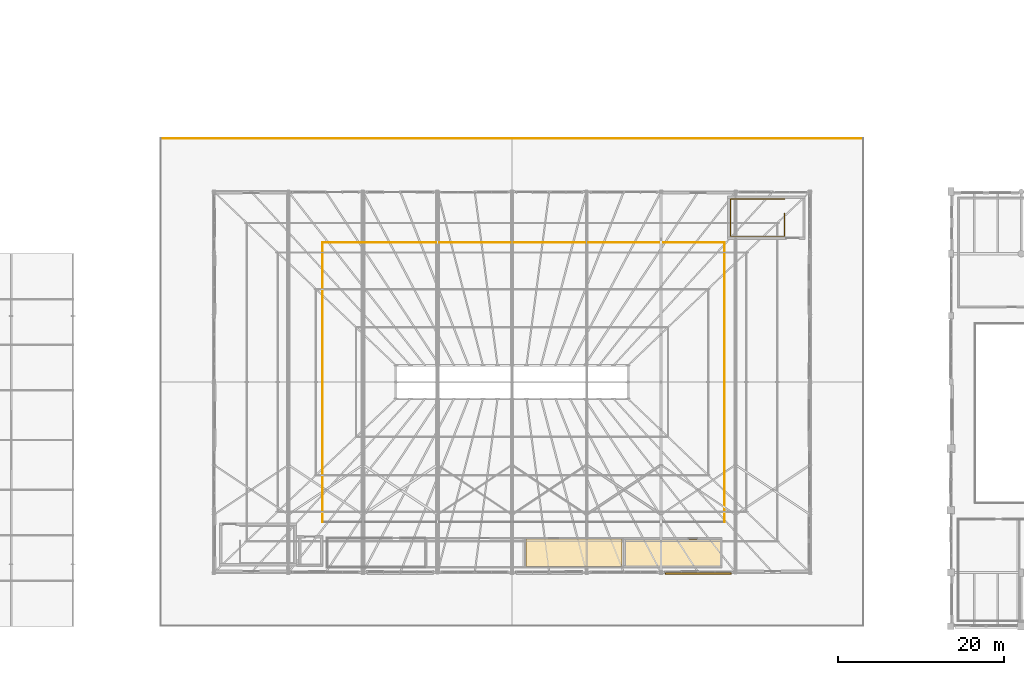
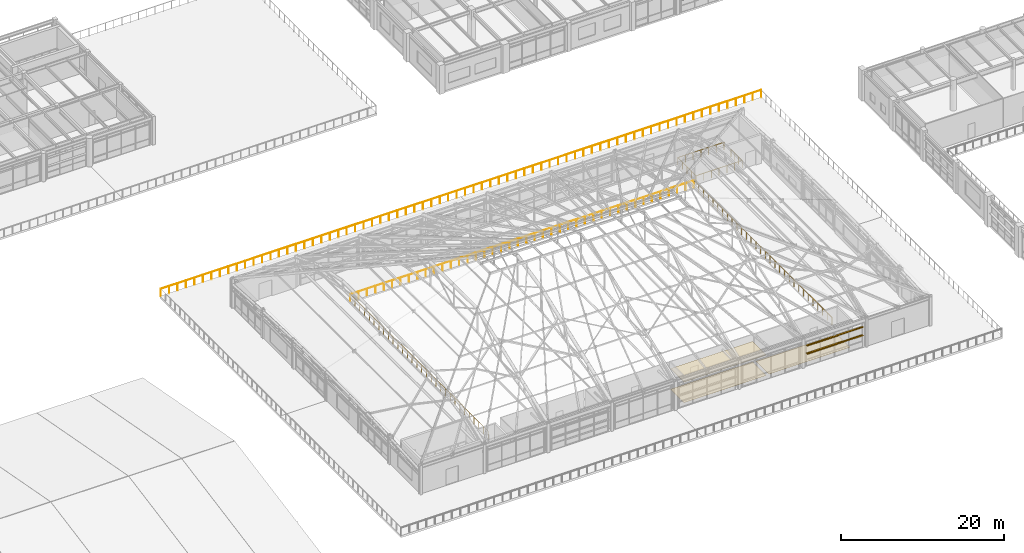
# One storey, part 164 of 168: 5 railings, 3 coverings, 2 shading devices.
"""IFC4 building model written with IfcOpenShell, lengths in metres."""

from ifc_helpers import new_model, si_unit, direction, frame, origin, origin_2d, place, context, subcontext, project, spatial, polyline, rectangle, circle, outline, extrude, material, layer, layer_set, type_object, element, save


model = new_model("IFC4")

# Units and contexts
model_context = context("Model", 3, precision=1e-05, world=origin(), true_north=direction((0.0, 1.0)))
body_context = subcontext(model_context, "Body", "Model", "MODEL_VIEW")
ifc_project = project(units=[si_unit("LENGTHUNIT", "METRE"), si_unit("AREAUNIT", "SQUARE_METRE"), si_unit("VOLUMEUNIT", "CUBIC_METRE"), si_unit("PLANEANGLEUNIT", "RADIAN"), si_unit("MASSUNIT", "GRAM", prefix="KILO"), si_unit("THERMODYNAMICTEMPERATUREUNIT", "KELVIN"), si_unit("POWERUNIT", "WATT")], contexts=[model_context])

# Site, building, storey
site_placement = place(None, origin())
site = spatial("IfcSite", under=ifc_project, at=site_placement, CompositionType="ELEMENT")
building_placement = place(site_placement, origin())
building = spatial("IfcBuilding", under=site, at=building_placement, Name="Tepalcoro Natatorium and Aquatics Centre", CompositionType="ELEMENT")
storey_placement = place(building_placement, frame((0.0, 0.0, 10.199951171875)))
storey = spatial("IfcBuildingStorey", under=building, at=storey_placement, Name="L02", CompositionType="ELEMENT", Elevation=10.199951171875)

# Railings
ifc_material_1 = material(Name="Bronze-Anodised Extruded Aluminium Alloy EN AW-6063 T6", Category="aluminium")
railing_type_1 = type_object("IfcRailingType", Name="BL_BRONZE_1100", PredefinedType="BALUSTRADE", material=ifc_material_1)
railing_1_placement = place(storey_placement, frame((114.679931640625, 19.1201171875, 0.0)))
element("IfcRailing", 1, at=railing_1_placement, inside=storey, type_object=railing_type_1, Name="V1 L02 Broadcast Catwalk Overlook Balustrade (E)", PredefinedType="BALUSTRADE", context=body_context, shape_type="SweptSolid", body=[
    extrude(circle(Radius=0.02392578125, at=origin_2d()), frame((0.0, 0.0, 1.076171875), z_axis=(0.0, 1.0, 0.0), x_axis=(-1.0, 0.0, 0.0)), (0.0, 0.0, 1.0), 33.759765625),
    extrude(circle(Radius=0.02099609375, at=origin_2d()), origin(), (0.0, 0.0, 1.0), 1.052001953125),
    extrude(circle(Radius=0.02099609375, at=origin_2d()), frame((0.0, 1.1640625, 0.0)), (0.0, 0.0, 1.0), 1.052001953125),
    extrude(circle(Radius=0.02099609375, at=origin_2d()), frame((0.0, 2.328369140625, 0.0)), (0.0, 0.0, 1.0), 1.052001953125),
    extrude(circle(Radius=0.02099609375, at=origin_2d()), frame((0.0, 3.492431640625, 0.0)), (0.0, 0.0, 1.0), 1.052001953125),
    extrude(circle(Radius=0.02099609375, at=origin_2d()), frame((0.0, 4.656494140625, 0.0)), (0.0, 0.0, 1.0), 1.052001953125),
    extrude(circle(Radius=0.02099609375, at=origin_2d()), frame((0.0, 5.820556640625, 0.0)), (0.0, 0.0, 1.0), 1.052001953125),
    extrude(circle(Radius=0.02099609375, at=origin_2d()), frame((0.0, 6.98486328125, 0.0)), (0.0, 0.0, 1.0), 1.052001953125),
    extrude(circle(Radius=0.02099609375, at=origin_2d()), frame((0.0, 8.14892578125, 0.0)), (0.0, 0.0, 1.0), 1.052001953125),
    extrude(circle(Radius=0.02099609375, at=origin_2d()), frame((0.0, 9.31298828125, 0.0)), (0.0, 0.0, 1.0), 1.052001953125),
    extrude(circle(Radius=0.02099609375, at=origin_2d()), frame((0.0, 10.47705078125, 0.0)), (0.0, 0.0, 1.0), 1.052001953125),
    extrude(circle(Radius=0.02099609375, at=origin_2d()), frame((0.0, 11.641357421875, 0.0)), (0.0, 0.0, 1.0), 1.052001953125),
    extrude(circle(Radius=0.02099609375, at=origin_2d()), frame((0.0, 12.805419921875, 0.0)), (0.0, 0.0, 1.0), 1.052001953125),
    extrude(circle(Radius=0.02099609375, at=origin_2d()), frame((0.0, 13.969482421875, 0.0)), (0.0, 0.0, 1.0), 1.052001953125),
    extrude(circle(Radius=0.02099609375, at=origin_2d()), frame((0.0, 15.1337890625, 0.0)), (0.0, 0.0, 1.0), 1.052001953125),
    extrude(circle(Radius=0.02099609375, at=origin_2d()), frame((0.0, 16.2978515625, 0.0)), (0.0, 0.0, 1.0), 1.052001953125),
    extrude(circle(Radius=0.02099609375, at=origin_2d()), frame((0.0, 17.4619140625, 0.0)), (0.0, 0.0, 1.0), 1.052001953125),
    extrude(circle(Radius=0.02099609375, at=origin_2d()), frame((0.0, 18.6259765625, 0.0)), (0.0, 0.0, 1.0), 1.052001953125),
    extrude(circle(Radius=0.02099609375, at=origin_2d()), frame((0.0, 19.790283203125, 0.0)), (0.0, 0.0, 1.0), 1.052001953125),
    extrude(circle(Radius=0.02099609375, at=origin_2d()), frame((0.0, 20.954345703125, 0.0)), (0.0, 0.0, 1.0), 1.052001953125),
    extrude(circle(Radius=0.02099609375, at=origin_2d()), frame((0.0, 22.118408203125, 0.0)), (0.0, 0.0, 1.0), 1.052001953125),
    extrude(circle(Radius=0.02099609375, at=origin_2d()), frame((0.0, 23.28271484375, 0.0)), (0.0, 0.0, 1.0), 1.052001953125),
    extrude(circle(Radius=0.02099609375, at=origin_2d()), frame((0.0, 24.44677734375, 0.0)), (0.0, 0.0, 1.0), 1.052001953125),
    extrude(circle(Radius=0.02099609375, at=origin_2d()), frame((0.0, 25.61083984375, 0.0)), (0.0, 0.0, 1.0), 1.052001953125),
    extrude(circle(Radius=0.02099609375, at=origin_2d()), frame((0.0, 26.77490234375, 0.0)), (0.0, 0.0, 1.0), 1.052001953125),
    extrude(circle(Radius=0.02099609375, at=origin_2d()), frame((0.0, 27.939208984375, 0.0)), (0.0, 0.0, 1.0), 1.052001953125),
    extrude(circle(Radius=0.02099609375, at=origin_2d()), frame((0.0, 29.103271484375, 0.0)), (0.0, 0.0, 1.0), 1.052001953125),
    extrude(circle(Radius=0.02099609375, at=origin_2d()), frame((0.0, 30.267333984375, 0.0)), (0.0, 0.0, 1.0), 1.052001953125),
    extrude(circle(Radius=0.02099609375, at=origin_2d()), frame((0.0, 31.431396484375, 0.0)), (0.0, 0.0, 1.0), 1.052001953125),
    extrude(circle(Radius=0.02099609375, at=origin_2d()), frame((0.0, 32.595703125, 0.0)), (0.0, 0.0, 1.0), 1.052001953125),
    extrude(circle(Radius=0.02099609375, at=origin_2d()), frame((0.0, 33.759765625, 0.0)), (0.0, 0.0, 1.0), 1.052001953125),
])
railing_2_placement = place(storey_placement, frame((114.679931640625, 52.8798828125, 0.0)))
element("IfcRailing", 2, at=railing_2_placement, inside=storey, type_object=railing_type_1, Name="V1 L02 Broadcast Catwalk Overlook Balustrade (N)", PredefinedType="BALUSTRADE", context=body_context, shape_type="SweptSolid", body=[
    extrude(circle(Radius=0.02392578125, at=origin_2d()), frame((0.0, 0.0, 1.076171875), z_axis=(-1.0, 0.0, 0.0), x_axis=(0.0, -1.0, 0.0)), (0.0, 0.0, 1.0), 48.559814453125),
    extrude(circle(Radius=0.02099609375, at=origin_2d()), origin(), (0.0, 0.0, 1.0), 1.052001953125),
    extrude(circle(Radius=0.02099609375, at=origin_2d()), frame((-1.184326171875, 0.0, 0.0)), (0.0, 0.0, 1.0), 1.052001953125),
    extrude(circle(Radius=0.02099609375, at=origin_2d()), frame((-2.36865234375, 0.0, 0.0)), (0.0, 0.0, 1.0), 1.052001953125),
    extrude(circle(Radius=0.02099609375, at=origin_2d()), frame((-3.55322265625, 0.0, 0.0)), (0.0, 0.0, 1.0), 1.052001953125),
    extrude(circle(Radius=0.02099609375, at=origin_2d()), frame((-4.737548828125, 0.0, 0.0)), (0.0, 0.0, 1.0), 1.052001953125),
    extrude(circle(Radius=0.02099609375, at=origin_2d()), frame((-5.921875, 0.0, 0.0)), (0.0, 0.0, 1.0), 1.052001953125),
    extrude(circle(Radius=0.02099609375, at=origin_2d()), frame((-7.106201171875, 0.0, 0.0)), (0.0, 0.0, 1.0), 1.052001953125),
    extrude(circle(Radius=0.02099609375, at=origin_2d()), frame((-8.290771484375, 0.0, 0.0)), (0.0, 0.0, 1.0), 1.052001953125),
    extrude(circle(Radius=0.02099609375, at=origin_2d()), frame((-9.47509765625, 0.0, 0.0)), (0.0, 0.0, 1.0), 1.052001953125),
    extrude(circle(Radius=0.02099609375, at=origin_2d()), frame((-10.659423828125, 0.0, 0.0)), (0.0, 0.0, 1.0), 1.052001953125),
    extrude(circle(Radius=0.02099609375, at=origin_2d()), frame((-11.84375, 0.0, 0.0)), (0.0, 0.0, 1.0), 1.052001953125),
    extrude(circle(Radius=0.02099609375, at=origin_2d()), frame((-13.0283203125, 0.0, 0.0)), (0.0, 0.0, 1.0), 1.052001953125),
    extrude(circle(Radius=0.02099609375, at=origin_2d()), frame((-14.212646484375, 0.0, 0.0)), (0.0, 0.0, 1.0), 1.052001953125),
    extrude(circle(Radius=0.02099609375, at=origin_2d()), frame((-15.39697265625, 0.0, 0.0)), (0.0, 0.0, 1.0), 1.052001953125),
    extrude(circle(Radius=0.02099609375, at=origin_2d()), frame((-16.581298828125, 0.0, 0.0)), (0.0, 0.0, 1.0), 1.052001953125),
    extrude(circle(Radius=0.02099609375, at=origin_2d()), frame((-17.765869140625, 0.0, 0.0)), (0.0, 0.0, 1.0), 1.052001953125),
    extrude(circle(Radius=0.02099609375, at=origin_2d()), frame((-18.9501953125, 0.0, 0.0)), (0.0, 0.0, 1.0), 1.052001953125),
    extrude(circle(Radius=0.02099609375, at=origin_2d()), frame((-20.134521484375, 0.0, 0.0)), (0.0, 0.0, 1.0), 1.052001953125),
    extrude(circle(Radius=0.02099609375, at=origin_2d()), frame((-21.31884765625, 0.0, 0.0)), (0.0, 0.0, 1.0), 1.052001953125),
    extrude(circle(Radius=0.02099609375, at=origin_2d()), frame((-22.50341796875, 0.0, 0.0)), (0.0, 0.0, 1.0), 1.052001953125),
    extrude(circle(Radius=0.02099609375, at=origin_2d()), frame((-23.687744140625, 0.0, 0.0)), (0.0, 0.0, 1.0), 1.052001953125),
    extrude(circle(Radius=0.02099609375, at=origin_2d()), frame((-24.8720703125, 0.0, 0.0)), (0.0, 0.0, 1.0), 1.052001953125),
    extrude(circle(Radius=0.02099609375, at=origin_2d()), frame((-26.056396484375, 0.0, 0.0)), (0.0, 0.0, 1.0), 1.052001953125),
    extrude(circle(Radius=0.02099609375, at=origin_2d()), frame((-27.240966796875, 0.0, 0.0)), (0.0, 0.0, 1.0), 1.052001953125),
    extrude(circle(Radius=0.02099609375, at=origin_2d()), frame((-28.42529296875, 0.0, 0.0)), (0.0, 0.0, 1.0), 1.052001953125),
    extrude(circle(Radius=0.02099609375, at=origin_2d()), frame((-29.609619140625, 0.0, 0.0)), (0.0, 0.0, 1.0), 1.052001953125),
    extrude(circle(Radius=0.02099609375, at=origin_2d()), frame((-30.7939453125, 0.0, 0.0)), (0.0, 0.0, 1.0), 1.052001953125),
    extrude(circle(Radius=0.02099609375, at=origin_2d()), frame((-31.978515625, 0.0, 0.0)), (0.0, 0.0, 1.0), 1.052001953125),
    extrude(circle(Radius=0.02099609375, at=origin_2d()), frame((-33.162841796875, 0.0, 0.0)), (0.0, 0.0, 1.0), 1.052001953125),
    extrude(circle(Radius=0.02099609375, at=origin_2d()), frame((-34.34716796875, 0.0, 0.0)), (0.0, 0.0, 1.0), 1.052001953125),
    extrude(circle(Radius=0.02099609375, at=origin_2d()), frame((-35.531494140625, 0.0, 0.0)), (0.0, 0.0, 1.0), 1.052001953125),
    extrude(circle(Radius=0.02099609375, at=origin_2d()), frame((-36.716064453125, 0.0, 0.0)), (0.0, 0.0, 1.0), 1.052001953125),
    extrude(circle(Radius=0.02099609375, at=origin_2d()), frame((-37.900390625, 0.0, 0.0)), (0.0, 0.0, 1.0), 1.052001953125),
    extrude(circle(Radius=0.02099609375, at=origin_2d()), frame((-39.084716796875, 0.0, 0.0)), (0.0, 0.0, 1.0), 1.052001953125),
    extrude(circle(Radius=0.02099609375, at=origin_2d()), frame((-40.26904296875, 0.0, 0.0)), (0.0, 0.0, 1.0), 1.052001953125),
    extrude(circle(Radius=0.02099609375, at=origin_2d()), frame((-41.45361328125, 0.0, 0.0)), (0.0, 0.0, 1.0), 1.052001953125),
    extrude(circle(Radius=0.02099609375, at=origin_2d()), frame((-42.637939453125, 0.0, 0.0)), (0.0, 0.0, 1.0), 1.052001953125),
    extrude(circle(Radius=0.02099609375, at=origin_2d()), frame((-43.822265625, 0.0, 0.0)), (0.0, 0.0, 1.0), 1.052001953125),
    extrude(circle(Radius=0.02099609375, at=origin_2d()), frame((-45.006591796875, 0.0, 0.0)), (0.0, 0.0, 1.0), 1.052001953125),
    extrude(circle(Radius=0.02099609375, at=origin_2d()), frame((-46.191162109375, 0.0, 0.0)), (0.0, 0.0, 1.0), 1.052001953125),
    extrude(circle(Radius=0.02099609375, at=origin_2d()), frame((-47.37548828125, 0.0, 0.0)), (0.0, 0.0, 1.0), 1.052001953125),
    extrude(circle(Radius=0.02099609375, at=origin_2d()), frame((-48.559814453125, 0.0, 0.0)), (0.0, 0.0, 1.0), 1.052001953125),
])
railing_3_placement = place(storey_placement, frame((66.1201171875, 52.8798828125, 0.0)))
element("IfcRailing", 3, at=railing_3_placement, inside=storey, type_object=railing_type_1, Name="V1 L02 Broadcast Catwalk Overlook Balustrade (W)", PredefinedType="BALUSTRADE", context=body_context, shape_type="SweptSolid", body=[
    extrude(circle(Radius=0.02392578125, at=origin_2d()), frame((0.0, 0.0, 1.076171875), z_axis=(0.0, -1.0, 0.0), x_axis=(1.0, 0.0, 0.0)), (0.0, 0.0, 1.0), 33.759765625),
    extrude(circle(Radius=0.02099609375, at=origin_2d()), origin(), (0.0, 0.0, 1.0), 1.052001953125),
    extrude(circle(Radius=0.02099609375, at=origin_2d()), frame((0.0, -1.1640625, 0.0)), (0.0, 0.0, 1.0), 1.052001953125),
    extrude(circle(Radius=0.02099609375, at=origin_2d()), frame((0.0, -2.328369140625, 0.0)), (0.0, 0.0, 1.0), 1.052001953125),
    extrude(circle(Radius=0.02099609375, at=origin_2d()), frame((0.0, -3.492431640625, 0.0)), (0.0, 0.0, 1.0), 1.052001953125),
    extrude(circle(Radius=0.02099609375, at=origin_2d()), frame((0.0, -4.656494140625, 0.0)), (0.0, 0.0, 1.0), 1.052001953125),
    extrude(circle(Radius=0.02099609375, at=origin_2d()), frame((0.0, -5.820556640625, 0.0)), (0.0, 0.0, 1.0), 1.052001953125),
    extrude(circle(Radius=0.02099609375, at=origin_2d()), frame((0.0, -6.98486328125, 0.0)), (0.0, 0.0, 1.0), 1.052001953125),
    extrude(circle(Radius=0.02099609375, at=origin_2d()), frame((0.0, -8.14892578125, 0.0)), (0.0, 0.0, 1.0), 1.052001953125),
    extrude(circle(Radius=0.02099609375, at=origin_2d()), frame((0.0, -9.31298828125, 0.0)), (0.0, 0.0, 1.0), 1.052001953125),
    extrude(circle(Radius=0.02099609375, at=origin_2d()), frame((0.0, -10.47705078125, 0.0)), (0.0, 0.0, 1.0), 1.052001953125),
    extrude(circle(Radius=0.02099609375, at=origin_2d()), frame((0.0, -11.641357421875, 0.0)), (0.0, 0.0, 1.0), 1.052001953125),
    extrude(circle(Radius=0.02099609375, at=origin_2d()), frame((0.0, -12.805419921875, 0.0)), (0.0, 0.0, 1.0), 1.052001953125),
    extrude(circle(Radius=0.02099609375, at=origin_2d()), frame((0.0, -13.969482421875, 0.0)), (0.0, 0.0, 1.0), 1.052001953125),
    extrude(circle(Radius=0.02099609375, at=origin_2d()), frame((0.0, -15.1337890625, 0.0)), (0.0, 0.0, 1.0), 1.052001953125),
    extrude(circle(Radius=0.02099609375, at=origin_2d()), frame((0.0, -16.2978515625, 0.0)), (0.0, 0.0, 1.0), 1.052001953125),
    extrude(circle(Radius=0.02099609375, at=origin_2d()), frame((0.0, -17.4619140625, 0.0)), (0.0, 0.0, 1.0), 1.052001953125),
    extrude(circle(Radius=0.02099609375, at=origin_2d()), frame((0.0, -18.6259765625, 0.0)), (0.0, 0.0, 1.0), 1.052001953125),
    extrude(circle(Radius=0.02099609375, at=origin_2d()), frame((0.0, -19.790283203125, 0.0)), (0.0, 0.0, 1.0), 1.052001953125),
    extrude(circle(Radius=0.02099609375, at=origin_2d()), frame((0.0, -20.954345703125, 0.0)), (0.0, 0.0, 1.0), 1.052001953125),
    extrude(circle(Radius=0.02099609375, at=origin_2d()), frame((0.0, -22.118408203125, 0.0)), (0.0, 0.0, 1.0), 1.052001953125),
    extrude(circle(Radius=0.02099609375, at=origin_2d()), frame((0.0, -23.28271484375, 0.0)), (0.0, 0.0, 1.0), 1.052001953125),
    extrude(circle(Radius=0.02099609375, at=origin_2d()), frame((0.0, -24.44677734375, 0.0)), (0.0, 0.0, 1.0), 1.052001953125),
    extrude(circle(Radius=0.02099609375, at=origin_2d()), frame((0.0, -25.61083984375, 0.0)), (0.0, 0.0, 1.0), 1.052001953125),
    extrude(circle(Radius=0.02099609375, at=origin_2d()), frame((0.0, -26.77490234375, 0.0)), (0.0, 0.0, 1.0), 1.052001953125),
    extrude(circle(Radius=0.02099609375, at=origin_2d()), frame((0.0, -27.939208984375, 0.0)), (0.0, 0.0, 1.0), 1.052001953125),
    extrude(circle(Radius=0.02099609375, at=origin_2d()), frame((0.0, -29.103271484375, 0.0)), (0.0, 0.0, 1.0), 1.052001953125),
    extrude(circle(Radius=0.02099609375, at=origin_2d()), frame((0.0, -30.267333984375, 0.0)), (0.0, 0.0, 1.0), 1.052001953125),
    extrude(circle(Radius=0.02099609375, at=origin_2d()), frame((0.0, -31.431396484375, 0.0)), (0.0, 0.0, 1.0), 1.052001953125),
    extrude(circle(Radius=0.02099609375, at=origin_2d()), frame((0.0, -32.595703125, 0.0)), (0.0, 0.0, 1.0), 1.052001953125),
    extrude(circle(Radius=0.02099609375, at=origin_2d()), frame((0.0, -33.759765625, 0.0)), (0.0, 0.0, 1.0), 1.052001953125),
])

# Coverings
ifc_material_2 = material(Name="Perforated Corrosion-Resistant Acoustic Aluminium Baffle Ceiling", Category="aluminium")
ifc_layer_1 = layer(ifc_material_2, 0.044921875)
ifc_layer_set_1 = layer_set([ifc_layer_1], Name="Perforated Corrosion-Resistant Acoustic Aluminium Baffle Ceiling")
covering_type_1 = type_object("IfcCoveringType", Name="CL_BAFFLE_120", PredefinedType="CEILING", material=ifc_layer_set_1)
covering_1_placement = place(storey_placement, frame((0.0, 0.0, 3.050048828125)))
element("IfcCovering", 4, at=covering_1_placement, inside=storey, type_object=covering_type_1, Name="Natatorium Bowl Sound, Scoreboard & Sports-Lighting Control Suspended Ceiling", PredefinedType="CEILING", context=body_context, shape_type="SweptSolid", body=[
    extrude(outline(polyline([(90.679931640625, 13.739990234375), (90.679931640625, 17.06005859375), (102.27001953125, 17.06005859375), (102.27001953125, 13.739990234375), (90.679931640625, 13.739990234375)])), origin(), (0.0, 0.0, 1.0), 0.044921875),
])
ifc_material_3 = material(Name="Shock-Absorbing Vulcanised Athletic Rubber Flooring")
ifc_layer_2 = layer(ifc_material_3, 0.011962890625)
ifc_layer_set_2 = layer_set([ifc_layer_2], Name="Shock-Absorbing Vulcanised Athletic Rubber Flooring")
covering_type_2 = type_object("IfcCoveringType", Name="FL_RUBBER_12", PredefinedType="FLOORING", material=ifc_layer_set_2)
covering_2_placement = place(storey_placement, origin())
element("IfcCovering", 5, at=covering_2_placement, inside=storey, type_object=covering_type_2, Name="Natatorium Bowl Sound, Scoreboard & Sports-Lighting Control Floor Finish", PredefinedType="FLOORING", context=body_context, shape_type="SweptSolid", body=[
    extrude(outline(polyline([(90.679931640625, 13.739990234375), (90.679931640625, 17.06005859375), (102.27001953125, 17.06005859375), (102.27001953125, 13.739990234375), (90.679931640625, 13.739990234375)])), origin(), (0.0, 0.0, 1.0), 0.011962890625),
])
ifc_material_4 = material(Name="Slip-Resistant Porcelain Aquatic Deck Tile")
ifc_layer_3 = layer(ifc_material_4, 0.01806640625)
ifc_layer_set_3 = layer_set([ifc_layer_3], Name="Slip-Resistant Porcelain Aquatic Deck Tile")
covering_type_3 = type_object("IfcCoveringType", Name="FL_TILE_18", PredefinedType="FLOORING", material=ifc_layer_set_3)
covering_3_placement = place(storey_placement, origin())
element("IfcCovering", 6, at=covering_3_placement, inside=storey, type_object=covering_type_3, Name="L02 Catwalk Broadcast Staff & Accessible WC Floor Finish", PredefinedType="FLOORING", context=body_context, shape_type="SweptSolid", body=[
    extrude(outline(polyline([(102.699951171875, 13.81005859375), (102.699951171875, 16.989990234375), (114.14990234375, 16.989990234375), (114.14990234375, 13.81005859375), (102.699951171875, 13.81005859375)])), origin(), (0.0, 0.0, 1.0), 0.01806640625),
])

# Railings
ifc_material_5 = material(Name="Marine-Grade Brushed Stainless Steel AISI 316L", Category="steel")
railing_type_2 = type_object("IfcRailingType", Name="RL_PERF_1100", PredefinedType="GUARDRAIL", material=ifc_material_5)
railing_4_placement = place(storey_placement, frame((131.419921875, 65.419921875, 0.0)))
element("IfcRailing", 7, at=railing_4_placement, inside=storey, type_object=railing_type_2, Name="V1 L02 Planted Terrace Perimeter Guardrail (N)", PredefinedType="GUARDRAIL", context=body_context, shape_type="SweptSolid", body=[
    extrude(circle(Radius=0.02392578125, at=origin_2d()), frame((0.0, 0.0, 1.11572265625), z_axis=(-1.0, 0.0, 0.0), x_axis=(0.0, -1.0, 0.0)), (0.0, 0.0, 1.0), 84.83984375),
    extrude(circle(Radius=0.02099609375, at=origin_2d()), origin(), (0.0, 0.0, 1.0), 1.091796875),
    extrude(circle(Radius=0.02099609375, at=origin_2d()), frame((-1.19482421875, 0.0, 0.0)), (0.0, 0.0, 1.0), 1.091796875),
    extrude(circle(Radius=0.02099609375, at=origin_2d()), frame((-2.389892578125, 0.0, 0.0)), (0.0, 0.0, 1.0), 1.091796875),
    extrude(circle(Radius=0.02099609375, at=origin_2d()), frame((-3.584716796875, 0.0, 0.0)), (0.0, 0.0, 1.0), 1.091796875),
    extrude(circle(Radius=0.02099609375, at=origin_2d()), frame((-4.77978515625, 0.0, 0.0)), (0.0, 0.0, 1.0), 1.091796875),
    extrude(circle(Radius=0.02099609375, at=origin_2d()), frame((-5.974609375, 0.0, 0.0)), (0.0, 0.0, 1.0), 1.091796875),
    extrude(circle(Radius=0.02099609375, at=origin_2d()), frame((-7.169677734375, 0.0, 0.0)), (0.0, 0.0, 1.0), 1.091796875),
    extrude(circle(Radius=0.02099609375, at=origin_2d()), frame((-8.364501953125, 0.0, 0.0)), (0.0, 0.0, 1.0), 1.091796875),
    extrude(circle(Radius=0.02099609375, at=origin_2d()), frame((-9.559326171875, 0.0, 0.0)), (0.0, 0.0, 1.0), 1.091796875),
    extrude(circle(Radius=0.02099609375, at=origin_2d()), frame((-10.75439453125, 0.0, 0.0)), (0.0, 0.0, 1.0), 1.091796875),
    extrude(circle(Radius=0.02099609375, at=origin_2d()), frame((-11.94921875, 0.0, 0.0)), (0.0, 0.0, 1.0), 1.091796875),
    extrude(circle(Radius=0.02099609375, at=origin_2d()), frame((-13.144287109375, 0.0, 0.0)), (0.0, 0.0, 1.0), 1.091796875),
    extrude(circle(Radius=0.02099609375, at=origin_2d()), frame((-14.339111328125, 0.0, 0.0)), (0.0, 0.0, 1.0), 1.091796875),
    extrude(circle(Radius=0.02099609375, at=origin_2d()), frame((-15.533935546875, 0.0, 0.0)), (0.0, 0.0, 1.0), 1.091796875),
    extrude(circle(Radius=0.02099609375, at=origin_2d()), frame((-16.72900390625, 0.0, 0.0)), (0.0, 0.0, 1.0), 1.091796875),
    extrude(circle(Radius=0.02099609375, at=origin_2d()), frame((-17.923828125, 0.0, 0.0)), (0.0, 0.0, 1.0), 1.091796875),
    extrude(circle(Radius=0.02099609375, at=origin_2d()), frame((-19.118896484375, 0.0, 0.0)), (0.0, 0.0, 1.0), 1.091796875),
    extrude(circle(Radius=0.02099609375, at=origin_2d()), frame((-20.313720703125, 0.0, 0.0)), (0.0, 0.0, 1.0), 1.091796875),
    extrude(circle(Radius=0.02099609375, at=origin_2d()), frame((-21.5087890625, 0.0, 0.0)), (0.0, 0.0, 1.0), 1.091796875),
    extrude(circle(Radius=0.02099609375, at=origin_2d()), frame((-22.70361328125, 0.0, 0.0)), (0.0, 0.0, 1.0), 1.091796875),
    extrude(circle(Radius=0.02099609375, at=origin_2d()), frame((-23.8984375, 0.0, 0.0)), (0.0, 0.0, 1.0), 1.091796875),
    extrude(circle(Radius=0.02099609375, at=origin_2d()), frame((-25.093505859375, 0.0, 0.0)), (0.0, 0.0, 1.0), 1.091796875),
    extrude(circle(Radius=0.02099609375, at=origin_2d()), frame((-26.288330078125, 0.0, 0.0)), (0.0, 0.0, 1.0), 1.091796875),
    extrude(circle(Radius=0.02099609375, at=origin_2d()), frame((-27.4833984375, 0.0, 0.0)), (0.0, 0.0, 1.0), 1.091796875),
    extrude(circle(Radius=0.02099609375, at=origin_2d()), frame((-28.67822265625, 0.0, 0.0)), (0.0, 0.0, 1.0), 1.091796875),
    extrude(circle(Radius=0.02099609375, at=origin_2d()), frame((-29.873291015625, 0.0, 0.0)), (0.0, 0.0, 1.0), 1.091796875),
    extrude(circle(Radius=0.02099609375, at=origin_2d()), frame((-31.068115234375, 0.0, 0.0)), (0.0, 0.0, 1.0), 1.091796875),
    extrude(circle(Radius=0.02099609375, at=origin_2d()), frame((-32.262939453125, 0.0, 0.0)), (0.0, 0.0, 1.0), 1.091796875),
    extrude(circle(Radius=0.02099609375, at=origin_2d()), frame((-33.4580078125, 0.0, 0.0)), (0.0, 0.0, 1.0), 1.091796875),
    extrude(circle(Radius=0.02099609375, at=origin_2d()), frame((-34.65283203125, 0.0, 0.0)), (0.0, 0.0, 1.0), 1.091796875),
    extrude(circle(Radius=0.02099609375, at=origin_2d()), frame((-35.847900390625, 0.0, 0.0)), (0.0, 0.0, 1.0), 1.091796875),
    extrude(circle(Radius=0.02099609375, at=origin_2d()), frame((-37.042724609375, 0.0, 0.0)), (0.0, 0.0, 1.0), 1.091796875),
    extrude(circle(Radius=0.02099609375, at=origin_2d()), frame((-38.23779296875, 0.0, 0.0)), (0.0, 0.0, 1.0), 1.091796875),
    extrude(circle(Radius=0.02099609375, at=origin_2d()), frame((-39.4326171875, 0.0, 0.0)), (0.0, 0.0, 1.0), 1.091796875),
    extrude(circle(Radius=0.02099609375, at=origin_2d()), frame((-40.62744140625, 0.0, 0.0)), (0.0, 0.0, 1.0), 1.091796875),
    extrude(circle(Radius=0.02099609375, at=origin_2d()), frame((-41.822509765625, 0.0, 0.0)), (0.0, 0.0, 1.0), 1.091796875),
    extrude(circle(Radius=0.02099609375, at=origin_2d()), frame((-43.017333984375, 0.0, 0.0)), (0.0, 0.0, 1.0), 1.091796875),
    extrude(circle(Radius=0.02099609375, at=origin_2d()), frame((-44.21240234375, 0.0, 0.0)), (0.0, 0.0, 1.0), 1.091796875),
    extrude(circle(Radius=0.02099609375, at=origin_2d()), frame((-45.4072265625, 0.0, 0.0)), (0.0, 0.0, 1.0), 1.091796875),
    extrude(circle(Radius=0.02099609375, at=origin_2d()), frame((-46.60205078125, 0.0, 0.0)), (0.0, 0.0, 1.0), 1.091796875),
    extrude(circle(Radius=0.02099609375, at=origin_2d()), frame((-47.797119140625, 0.0, 0.0)), (0.0, 0.0, 1.0), 1.091796875),
    extrude(circle(Radius=0.02099609375, at=origin_2d()), frame((-48.991943359375, 0.0, 0.0)), (0.0, 0.0, 1.0), 1.091796875),
    extrude(circle(Radius=0.02099609375, at=origin_2d()), frame((-50.18701171875, 0.0, 0.0)), (0.0, 0.0, 1.0), 1.091796875),
    extrude(circle(Radius=0.02099609375, at=origin_2d()), frame((-51.3818359375, 0.0, 0.0)), (0.0, 0.0, 1.0), 1.091796875),
    extrude(circle(Radius=0.02099609375, at=origin_2d()), frame((-52.576904296875, 0.0, 0.0)), (0.0, 0.0, 1.0), 1.091796875),
    extrude(circle(Radius=0.02099609375, at=origin_2d()), frame((-53.771728515625, 0.0, 0.0)), (0.0, 0.0, 1.0), 1.091796875),
    extrude(circle(Radius=0.02099609375, at=origin_2d()), frame((-54.966552734375, 0.0, 0.0)), (0.0, 0.0, 1.0), 1.091796875),
    extrude(circle(Radius=0.02099609375, at=origin_2d()), frame((-56.16162109375, 0.0, 0.0)), (0.0, 0.0, 1.0), 1.091796875),
    extrude(circle(Radius=0.02099609375, at=origin_2d()), frame((-57.3564453125, 0.0, 0.0)), (0.0, 0.0, 1.0), 1.091796875),
    extrude(circle(Radius=0.02099609375, at=origin_2d()), frame((-58.551513671875, 0.0, 0.0)), (0.0, 0.0, 1.0), 1.091796875),
    extrude(circle(Radius=0.02099609375, at=origin_2d()), frame((-59.746337890625, 0.0, 0.0)), (0.0, 0.0, 1.0), 1.091796875),
    extrude(circle(Radius=0.02099609375, at=origin_2d()), frame((-60.94140625, 0.0, 0.0)), (0.0, 0.0, 1.0), 1.091796875),
    extrude(circle(Radius=0.02099609375, at=origin_2d()), frame((-62.13623046875, 0.0, 0.0)), (0.0, 0.0, 1.0), 1.091796875),
    extrude(circle(Radius=0.02099609375, at=origin_2d()), frame((-63.3310546875, 0.0, 0.0)), (0.0, 0.0, 1.0), 1.091796875),
    extrude(circle(Radius=0.02099609375, at=origin_2d()), frame((-64.526123046875, 0.0, 0.0)), (0.0, 0.0, 1.0), 1.091796875),
    extrude(circle(Radius=0.02099609375, at=origin_2d()), frame((-65.720947265625, 0.0, 0.0)), (0.0, 0.0, 1.0), 1.091796875),
    extrude(circle(Radius=0.02099609375, at=origin_2d()), frame((-66.916015625, 0.0, 0.0)), (0.0, 0.0, 1.0), 1.091796875),
    extrude(circle(Radius=0.02099609375, at=origin_2d()), frame((-68.11083984375, 0.0, 0.0)), (0.0, 0.0, 1.0), 1.091796875),
    extrude(circle(Radius=0.02099609375, at=origin_2d()), frame((-69.305908203125, 0.0, 0.0)), (0.0, 0.0, 1.0), 1.091796875),
    extrude(circle(Radius=0.02099609375, at=origin_2d()), frame((-70.500732421875, 0.0, 0.0)), (0.0, 0.0, 1.0), 1.091796875),
    extrude(circle(Radius=0.02099609375, at=origin_2d()), frame((-71.695556640625, 0.0, 0.0)), (0.0, 0.0, 1.0), 1.091796875),
    extrude(circle(Radius=0.02099609375, at=origin_2d()), frame((-72.890625, 0.0, 0.0)), (0.0, 0.0, 1.0), 1.091796875),
    extrude(circle(Radius=0.02099609375, at=origin_2d()), frame((-74.08544921875, 0.0, 0.0)), (0.0, 0.0, 1.0), 1.091796875),
    extrude(circle(Radius=0.02099609375, at=origin_2d()), frame((-75.280517578125, 0.0, 0.0)), (0.0, 0.0, 1.0), 1.091796875),
    extrude(circle(Radius=0.02099609375, at=origin_2d()), frame((-76.475341796875, 0.0, 0.0)), (0.0, 0.0, 1.0), 1.091796875),
    extrude(circle(Radius=0.02099609375, at=origin_2d()), frame((-77.670166015625, 0.0, 0.0)), (0.0, 0.0, 1.0), 1.091796875),
    extrude(circle(Radius=0.02099609375, at=origin_2d()), frame((-78.865234375, 0.0, 0.0)), (0.0, 0.0, 1.0), 1.091796875),
    extrude(circle(Radius=0.02099609375, at=origin_2d()), frame((-80.06005859375, 0.0, 0.0)), (0.0, 0.0, 1.0), 1.091796875),
    extrude(circle(Radius=0.02099609375, at=origin_2d()), frame((-81.255126953125, 0.0, 0.0)), (0.0, 0.0, 1.0), 1.091796875),
    extrude(circle(Radius=0.02099609375, at=origin_2d()), frame((-82.449951171875, 0.0, 0.0)), (0.0, 0.0, 1.0), 1.091796875),
    extrude(circle(Radius=0.02099609375, at=origin_2d()), frame((-83.64501953125, 0.0, 0.0)), (0.0, 0.0, 1.0), 1.091796875),
    extrude(circle(Radius=0.02099609375, at=origin_2d()), frame((-84.83984375, 0.0, 0.0)), (0.0, 0.0, 1.0), 1.091796875),
])
railing_type_3 = type_object("IfcRailingType", Name="RL_SS_1100", PredefinedType="GUARDRAIL", material=ifc_material_5)
railing_5_placement = place(storey_placement, frame((121.909912109375, 56.35009765625, 0.0)))
element("IfcRailing", 8, at=railing_5_placement, inside=storey, type_object=railing_type_3, Name="ST02 Top Floor Stairwell Guardrail (L02)", PredefinedType="GUARDRAIL", context=body_context, shape_type="SweptSolid", body=[
    extrude(circle(Radius=0.02392578125, at=origin_2d()), frame((0.0, 0.0, 1.076171875), z_axis=(0.0, -1.0, 0.0), x_axis=(1.0, 0.0, 0.0)), (0.0, 0.0, 1.0), 2.739990234375),
    extrude(circle(Radius=0.02392578125, at=origin_2d()), frame((0.0, -2.739990234375, 1.076171875), z_axis=(-1.0, 0.0, 0.0), x_axis=(0.0, -1.0, 0.0)), (0.0, 0.0, 1.0), 6.52001953125),
    extrude(circle(Radius=0.02392578125, at=origin_2d()), frame((-6.52001953125, -2.739990234375, 1.076171875), z_axis=(0.0, 1.0, 0.0), x_axis=(-1.0, 0.0, 0.0)), (0.0, 0.0, 1.0), 4.47998046875),
    extrude(circle(Radius=0.02392578125, at=origin_2d()), frame((-6.52001953125, 1.739990234375, 1.076171875), z_axis=(1.0, 0.0, 0.0), x_axis=(0.0, 1.0, 0.0)), (0.0, 0.0, 1.0), 6.52001953125),
    extrude(circle(Radius=0.02099609375, at=origin_2d()), origin(), (0.0, 0.0, 1.0), 1.052001953125),
    extrude(circle(Radius=0.02099609375, at=origin_2d()), frame((0.0, -0.913330078125, 0.0)), (0.0, 0.0, 1.0), 1.052001953125),
    extrude(circle(Radius=0.02099609375, at=origin_2d()), frame((0.0, -1.82666015625, 0.0)), (0.0, 0.0, 1.0), 1.052001953125),
    extrude(circle(Radius=0.02099609375, at=origin_2d()), frame((0.0, -2.739990234375, 0.0)), (0.0, 0.0, 1.0), 1.052001953125),
    extrude(circle(Radius=0.02099609375, at=origin_2d()), frame((-1.086669921875, -2.739990234375, 0.0)), (0.0, 0.0, 1.0), 1.052001953125),
    extrude(circle(Radius=0.02099609375, at=origin_2d()), frame((-2.17333984375, -2.739990234375, 0.0)), (0.0, 0.0, 1.0), 1.052001953125),
    extrude(circle(Radius=0.02099609375, at=origin_2d()), frame((-3.260009765625, -2.739990234375, 0.0)), (0.0, 0.0, 1.0), 1.052001953125),
    extrude(circle(Radius=0.02099609375, at=origin_2d()), frame((-4.3466796875, -2.739990234375, 0.0)), (0.0, 0.0, 1.0), 1.052001953125),
    extrude(circle(Radius=0.02099609375, at=origin_2d()), frame((-5.433349609375, -2.739990234375, 0.0)), (0.0, 0.0, 1.0), 1.052001953125),
    extrude(circle(Radius=0.02099609375, at=origin_2d()), frame((-6.52001953125, -2.739990234375, 0.0)), (0.0, 0.0, 1.0), 1.052001953125),
    extrude(circle(Radius=0.02099609375, at=origin_2d()), frame((-6.52001953125, -1.6201171875, 0.0)), (0.0, 0.0, 1.0), 1.052001953125),
    extrude(circle(Radius=0.02099609375, at=origin_2d()), frame((-6.52001953125, -0.5, 0.0)), (0.0, 0.0, 1.0), 1.052001953125),
    extrude(circle(Radius=0.02099609375, at=origin_2d()), frame((-6.52001953125, 0.6201171875, 0.0)), (0.0, 0.0, 1.0), 1.052001953125),
    extrude(circle(Radius=0.02099609375, at=origin_2d()), frame((-6.52001953125, 1.739990234375, 0.0)), (0.0, 0.0, 1.0), 1.052001953125),
    extrude(circle(Radius=0.02099609375, at=origin_2d()), frame((-5.433349609375, 1.739990234375, 0.0)), (0.0, 0.0, 1.0), 1.052001953125),
    extrude(circle(Radius=0.02099609375, at=origin_2d()), frame((-4.3466796875, 1.739990234375, 0.0)), (0.0, 0.0, 1.0), 1.052001953125),
    extrude(circle(Radius=0.02099609375, at=origin_2d()), frame((-3.260009765625, 1.739990234375, 0.0)), (0.0, 0.0, 1.0), 1.052001953125),
    extrude(circle(Radius=0.02099609375, at=origin_2d()), frame((-2.17333984375, 1.739990234375, 0.0)), (0.0, 0.0, 1.0), 1.052001953125),
    extrude(circle(Radius=0.02099609375, at=origin_2d()), frame((-1.086669921875, 1.739990234375, 0.0)), (0.0, 0.0, 1.0), 1.052001953125),
    extrude(circle(Radius=0.02099609375, at=origin_2d()), frame((0.0, 1.739990234375, 0.0)), (0.0, 0.0, 1.0), 1.052001953125),
])

# Shading devices
shading_device_type = type_object("IfcShadingDeviceType", Name="SHD_LOUVRE_AL", PredefinedType="JALOUSIE", material=ifc_material_1)
for number, where, z_axis, x_axis, name in (
    (9, (111.5, 12.936279296875, 1.890869140625), (0.0, 0.0, 1.0), (1.0, 0.0, 0.0), "Solar Shading Brise-Soleil SHD_LOUVRE_AL"),
    (10, (111.5, 12.936279296875, 3.117919921875), (0.0, 0.0, 1.0), (1.0, 0.0, 0.0), "Solar Shading Brise-Soleil SHD_LOUVRE_AL"),
):
    element("IfcShadingDevice", number, at=place(storey_placement, frame(where, z_axis=z_axis, x_axis=x_axis)), inside=storey, type_object=shading_device_type, Name=name, PredefinedType="JALOUSIE", context=body_context, shape_type="SweptSolid", body=[
        extrude(rectangle(XDim=7.9599609375, YDim=0.239990234375, at=origin_2d()), origin(), (0.0, 0.0, 1.0), 0.080078125),
    ])

save(model, "model.ifc")
